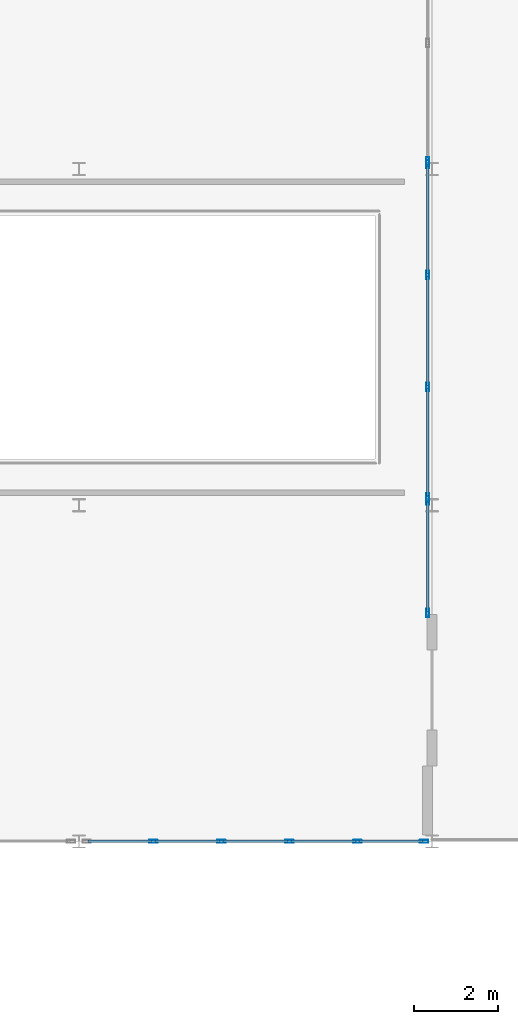
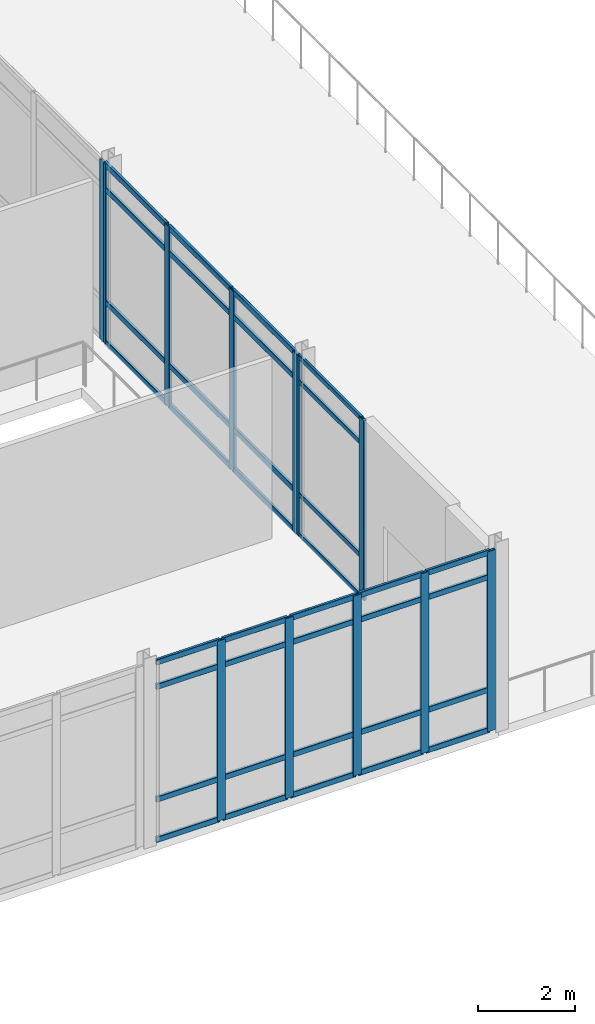
# One storey, part 76 of 154: 48 members, 4 elements without a shape of their own.
"""IFC4 building model written with IfcOpenShell, lengths in metres."""

from ifc_helpers import new_model, si_unit, direction, frame, origin, origin_2d, place, context, subcontext, project, spatial, hollow_rectangle, extrude, material, layer, layer_set, material_profile, profile_set, type_object, element, aggregate, save


model = new_model("IFC4")

# Units and contexts
model_context = context("Model", 3, precision=1e-05, world=origin(), true_north=direction((0.0, 1.0)))
body_context = subcontext(model_context, "Body", "Model", "MODEL_VIEW")
ifc_project = project(units=[si_unit("LENGTHUNIT", "METRE"), si_unit("AREAUNIT", "SQUARE_METRE"), si_unit("VOLUMEUNIT", "CUBIC_METRE"), si_unit("PLANEANGLEUNIT", "RADIAN"), si_unit("MASSUNIT", "GRAM", prefix="KILO")], contexts=[model_context])

# Site, building, storey
site_placement = place(None, origin())
site = spatial("IfcSite", under=ifc_project, at=site_placement, CompositionType="ELEMENT")
building_placement = place(site_placement, origin())
building = spatial("IfcBuilding", under=site, at=building_placement, Name="Kazehara Bluff Congress Hotel", CompositionType="ELEMENT")
storey_placement = place(building_placement, frame((0.0, 0.0, 10.199951171875)))
storey = spatial("IfcBuildingStorey", under=building, at=storey_placement, Name="L02", CompositionType="ELEMENT", Elevation=10.199951171875)

# Curtain wall, members
ifc_material_1 = material(Name="Anodised aluminium", Category="aluminium")
ifc_layer_1 = layer(ifc_material_1, 0.159912109375)
ifc_layer_set_1 = layer_set([ifc_layer_1], Name="Anodised aluminium")
curtain_wall_type_1 = type_object("IfcCurtainWallType", Name="TP-CW-39", PredefinedType="NOTDEFINED", material=ifc_layer_set_1)
curtain_wall_1_placement = place(storey_placement, origin())
curtain_wall_1 = element("IfcCurtainWall", 1, at=curtain_wall_1_placement, inside=storey, type_object=curtain_wall_type_1, Name="L02 curtain wall CW-39 CW-V3-L02-Y8090-8460", PredefinedType="NOTDEFINED")
ifc_material_2 = material(Name="Anodised aluminium", Category="aluminium")
ifc_material_profile_1 = material_profile(ifc_material_2, hollow_rectangle(XDim=0.070068359375, YDim=0.199951171875, WallThickness=0.0048828125, InnerFilletRadius=0.0048828125, OuterFilletRadius=0.010009765625, at=origin_2d()))
ifc_profile_set_1 = profile_set([ifc_material_profile_1], Name="Anodised aluminium")
member_type_1 = type_object("IfcMemberType", Name="TP-CWM-03", PredefinedType="MULLION", material=ifc_profile_set_1)
member_1_placement = place(storey_placement, frame((86.219970703125, 80.89990234375, 0.0), z_axis=(0.0, 0.0, 1.0), x_axis=(0.0, 1.0, 0.0)))
member_1 = element("IfcMember", 2, at=member_1_placement, type_object=member_type_1, Name="CW-39 mullion 2", PredefinedType="MULLION", context=body_context, shape_type="SweptSolid", body=[
    extrude(hollow_rectangle(XDim=0.070068359375, YDim=0.199951171875, WallThickness=0.0048828125, InnerFilletRadius=0.0048828125, OuterFilletRadius=0.010009765625, at=origin_2d()), origin(), (0.0, 0.0, 1.0), 4.545166015625),
])
member_2_placement = place(storey_placement, frame((87.840087890625, 80.89990234375, 0.0), z_axis=(0.0, 0.0, 1.0), x_axis=(0.0, 1.0, 0.0)))
member_2 = element("IfcMember", 3, at=member_2_placement, type_object=member_type_1, Name="CW-39 mullion 3", PredefinedType="MULLION", context=body_context, shape_type="SweptSolid", body=[
    extrude(hollow_rectangle(XDim=0.070068359375, YDim=0.199951171875, WallThickness=0.0048828125, InnerFilletRadius=0.0048828125, OuterFilletRadius=0.010009765625, at=origin_2d()), origin(), (0.0, 0.0, 1.0), 4.545166015625),
])
member_3_placement = place(storey_placement, frame((89.4599609375, 80.89990234375, 0.0), z_axis=(0.0, 0.0, 1.0), x_axis=(0.0, 1.0, 0.0)))
member_3 = element("IfcMember", 4, at=member_3_placement, type_object=member_type_1, Name="CW-39 mullion 4", PredefinedType="MULLION", context=body_context, shape_type="SweptSolid", body=[
    extrude(hollow_rectangle(XDim=0.070068359375, YDim=0.199951171875, WallThickness=0.0048828125, InnerFilletRadius=0.0048828125, OuterFilletRadius=0.010009765625, at=origin_2d()), origin(), (0.0, 0.0, 1.0), 4.545166015625),
])
member_4_placement = place(storey_placement, frame((91.080078125, 80.89990234375, 0.0), z_axis=(0.0, 0.0, 1.0), x_axis=(0.0, 1.0, 0.0)))
member_4 = element("IfcMember", 5, at=member_4_placement, type_object=member_type_1, Name="CW-39 mullion 5", PredefinedType="MULLION", context=body_context, shape_type="SweptSolid", body=[
    extrude(hollow_rectangle(XDim=0.070068359375, YDim=0.199951171875, WallThickness=0.0048828125, InnerFilletRadius=0.0048828125, OuterFilletRadius=0.010009765625, at=origin_2d()), origin(), (0.0, 0.0, 1.0), 4.545166015625),
])
member_5_placement = place(storey_placement, frame((92.6650390625, 80.89990234375, 0.0), z_axis=(0.0, 0.0, 1.0), x_axis=(0.0, 1.0, 0.0)))
member_5 = element("IfcMember", 6, at=member_5_placement, type_object=member_type_1, Name="CW-39 mullion 6", PredefinedType="MULLION", context=body_context, shape_type="SweptSolid", body=[
    extrude(hollow_rectangle(XDim=0.070068359375, YDim=0.199951171875, WallThickness=0.0048828125, InnerFilletRadius=0.0048828125, OuterFilletRadius=0.010009765625, at=origin_2d()), origin(), (0.0, 0.0, 1.0), 4.545166015625),
])

ifc_material_3 = material(Name="Anodised aluminium", Category="aluminium")
ifc_layer_2 = layer(ifc_material_3, 0.159912109375)
ifc_layer_set_2 = layer_set([ifc_layer_2], Name="Anodised aluminium")
curtain_wall_type_2 = type_object("IfcCurtainWallType", Name="TP-CW-135", PredefinedType="NOTDEFINED", material=ifc_layer_set_2)
curtain_wall_2_placement = place(storey_placement, origin())
curtain_wall_2 = element("IfcCurtainWall", 7, at=curtain_wall_2_placement, inside=storey, type_object=curtain_wall_type_2, Name="L02 curtain wall CW-135 CW-ENC-V3-L02-9275-8768", PredefinedType="NOTDEFINED")
member_6_placement = place(storey_placement, frame((92.75, 89.014892578125, 0.0), z_axis=(0.0, 0.0, 1.0), x_axis=(1.0, 0.0, 0.0)))
member_6 = element("IfcMember", 8, at=member_6_placement, type_object=member_type_1, Name="CW-135 mullion 1", PredefinedType="MULLION", context=body_context, shape_type="SweptSolid", body=[
    extrude(hollow_rectangle(XDim=0.070068359375, YDim=0.199951171875, WallThickness=0.0048828125, InnerFilletRadius=0.0048828125, OuterFilletRadius=0.010009765625, at=origin_2d()), origin(), (0.0, 0.0, 1.0), 4.545166015625),
])
member_7_placement = place(storey_placement, frame((92.75, 86.3349609375, 0.0), z_axis=(0.0, 0.0, 1.0), x_axis=(1.0, 0.0, 0.0)))
member_7 = element("IfcMember", 9, at=member_7_placement, type_object=member_type_1, Name="CW-135 mullion 2", PredefinedType="MULLION", context=body_context, shape_type="SweptSolid", body=[
    extrude(hollow_rectangle(XDim=0.070068359375, YDim=0.199951171875, WallThickness=0.0048828125, InnerFilletRadius=0.0048828125, OuterFilletRadius=0.010009765625, at=origin_2d()), origin(), (0.0, 0.0, 1.0), 4.545166015625),
])

ifc_material_4 = material(Name="Anodised aluminium", Category="aluminium")
ifc_layer_3 = layer(ifc_material_4, 0.159912109375)
ifc_layer_set_3 = layer_set([ifc_layer_3], Name="Anodised aluminium")
curtain_wall_type_3 = type_object("IfcCurtainWallType", Name="TP-CW-136", PredefinedType="NOTDEFINED", material=ifc_layer_set_3)
curtain_wall_3_placement = place(storey_placement, origin())
curtain_wall_3 = element("IfcCurtainWall", 10, at=curtain_wall_3_placement, inside=storey, type_object=curtain_wall_type_3, Name="L02 curtain wall CW-136 CW-ENC-V3-L02-9275-9305", PredefinedType="NOTDEFINED")
member_8_placement = place(storey_placement, frame((92.75, 97.014892578125, 0.0), z_axis=(0.0, 0.0, 1.0), x_axis=(1.0, 0.0, 0.0)))
member_8 = element("IfcMember", 11, at=member_8_placement, type_object=member_type_1, Name="CW-136 mullion 1", PredefinedType="MULLION", context=body_context, shape_type="SweptSolid", body=[
    extrude(hollow_rectangle(XDim=0.070068359375, YDim=0.199951171875, WallThickness=0.0048828125, InnerFilletRadius=0.0048828125, OuterFilletRadius=0.010009765625, at=origin_2d()), origin(), (0.0, 0.0, 1.0), 4.545166015625),
])
member_9_placement = place(storey_placement, frame((92.75, 94.38330078125, 0.0), z_axis=(0.0, 0.0, 1.0), x_axis=(1.0, 0.0, 0.0)))
member_9 = element("IfcMember", 12, at=member_9_placement, type_object=member_type_1, Name="CW-136 mullion 2", PredefinedType="MULLION", context=body_context, shape_type="SweptSolid", body=[
    extrude(hollow_rectangle(XDim=0.070068359375, YDim=0.199951171875, WallThickness=0.0048828125, InnerFilletRadius=0.0048828125, OuterFilletRadius=0.010009765625, at=origin_2d()), origin(), (0.0, 0.0, 1.0), 4.545166015625),
])
member_10_placement = place(storey_placement, frame((92.75, 91.716552734375, 0.0), z_axis=(0.0, 0.0, 1.0), x_axis=(1.0, 0.0, 0.0)))
member_10 = element("IfcMember", 13, at=member_10_placement, type_object=member_type_1, Name="CW-136 mullion 3", PredefinedType="MULLION", context=body_context, shape_type="SweptSolid", body=[
    extrude(hollow_rectangle(XDim=0.070068359375, YDim=0.199951171875, WallThickness=0.0048828125, InnerFilletRadius=0.0048828125, OuterFilletRadius=0.010009765625, at=origin_2d()), origin(), (0.0, 0.0, 1.0), 4.545166015625),
])
member_11_placement = place(storey_placement, frame((92.75, 89.0849609375, 0.0), z_axis=(0.0, 0.0, 1.0), x_axis=(1.0, 0.0, 0.0)))
member_11 = element("IfcMember", 14, at=member_11_placement, type_object=member_type_1, Name="CW-136 mullion 4", PredefinedType="MULLION", context=body_context, shape_type="SweptSolid", body=[
    extrude(hollow_rectangle(XDim=0.070068359375, YDim=0.199951171875, WallThickness=0.0048828125, InnerFilletRadius=0.0048828125, OuterFilletRadius=0.010009765625, at=origin_2d()), origin(), (0.0, 0.0, 1.0), 4.545166015625),
])

# Curtain wall, member
ifc_material_5 = material(Name="Anodised aluminium", Category="aluminium")
ifc_layer_4 = layer(ifc_material_5, 0.159912109375)
ifc_layer_set_4 = layer_set([ifc_layer_4], Name="Anodised aluminium")
curtain_wall_type_4 = type_object("IfcCurtainWallType", Name="TP-CW-137", PredefinedType="NOTDEFINED", material=ifc_layer_set_4)
curtain_wall_4_placement = place(storey_placement, origin())
curtain_wall_4 = element("IfcCurtainWall", 15, at=curtain_wall_4_placement, inside=storey, type_object=curtain_wall_type_4, Name="L02 curtain wall CW-137 CW-ENC-V3-L02-9275-10132", PredefinedType="NOTDEFINED")
member_12_placement = place(storey_placement, frame((92.75, 97.0849609375, 0.0), z_axis=(0.0, 0.0, 1.0), x_axis=(1.0, 0.0, 0.0)))
member_12 = element("IfcMember", 16, at=member_12_placement, type_object=member_type_1, Name="CW-137 mullion 4", PredefinedType="MULLION", context=body_context, shape_type="SweptSolid", body=[
    extrude(hollow_rectangle(XDim=0.070068359375, YDim=0.199951171875, WallThickness=0.0048828125, InnerFilletRadius=0.0048828125, OuterFilletRadius=0.010009765625, at=origin_2d()), origin(), (0.0, 0.0, 1.0), 4.545166015625),
])
aggregate(curtain_wall_4, [member_12])

# Member
ifc_material_6 = material(Name="Anodised aluminium", Category="aluminium")
ifc_material_profile_2 = material_profile(ifc_material_6, hollow_rectangle(XDim=0.06005859375, YDim=0.1201171875, WallThickness=0.00390625, InnerFilletRadius=0.00390625, OuterFilletRadius=0.008056640625, at=origin_2d()))
ifc_profile_set_2 = profile_set([ifc_material_profile_2], Name="Anodised aluminium")
member_type_2 = type_object("IfcMemberType", Name="TP-CWT-01", PredefinedType="USERDEFINED", material=ifc_profile_set_2)
member_13_placement = place(storey_placement, frame((92.75, 88.97998046875, 0.030029296875), z_axis=(0.0, -1.0, 0.0), x_axis=(1.0, 0.0, 0.0)))
member_13 = element("IfcMember", 17, at=member_13_placement, type_object=member_type_2, Name="CW-135 transom 1.1", ObjectType="TRANSOM", PredefinedType="USERDEFINED", context=body_context, shape_type="SweptSolid", body=[
    extrude(hollow_rectangle(XDim=0.06005859375, YDim=0.1201171875, WallThickness=0.00390625, InnerFilletRadius=0.00390625, OuterFilletRadius=0.008056640625, at=origin_2d()), origin(), (0.0, 0.0, 1.0), 2.60986328125),
])

member_14_placement = place(storey_placement, frame((92.75, 88.97998046875, 1.050048828125), z_axis=(0.0, -1.0, 0.0), x_axis=(1.0, 0.0, 0.0)))
member_14 = element("IfcMember", 18, at=member_14_placement, type_object=member_type_2, Name="CW-135 transom 1.2", ObjectType="TRANSOM", PredefinedType="USERDEFINED", context=body_context, shape_type="SweptSolid", body=[
    extrude(hollow_rectangle(XDim=0.06005859375, YDim=0.1201171875, WallThickness=0.00390625, InnerFilletRadius=0.00390625, OuterFilletRadius=0.008056640625, at=origin_2d()), origin(), (0.0, 0.0, 1.0), 2.60986328125),
])

member_15_placement = place(storey_placement, frame((92.75, 88.97998046875, 3.89501953125), z_axis=(0.0, -1.0, 0.0), x_axis=(1.0, 0.0, 0.0)))
member_15 = element("IfcMember", 19, at=member_15_placement, type_object=member_type_2, Name="CW-135 transom 1.3", ObjectType="TRANSOM", PredefinedType="USERDEFINED", context=body_context, shape_type="SweptSolid", body=[
    extrude(hollow_rectangle(XDim=0.06005859375, YDim=0.1201171875, WallThickness=0.00390625, InnerFilletRadius=0.00390625, OuterFilletRadius=0.008056640625, at=origin_2d()), origin(), (0.0, 0.0, 1.0), 2.60986328125),
])

member_16_placement = place(storey_placement, frame((92.75, 88.97998046875, 4.51513671875), z_axis=(0.0, -1.0, 0.0), x_axis=(1.0, 0.0, 0.0)))
member_16 = element("IfcMember", 20, at=member_16_placement, type_object=member_type_2, Name="CW-135 transom 1.4", ObjectType="TRANSOM", PredefinedType="USERDEFINED", context=body_context, shape_type="SweptSolid", body=[
    extrude(hollow_rectangle(XDim=0.06005859375, YDim=0.1201171875, WallThickness=0.00390625, InnerFilletRadius=0.00390625, OuterFilletRadius=0.008056640625, at=origin_2d()), origin(), (0.0, 0.0, 1.0), 2.60986328125),
])

aggregate(curtain_wall_2, [member_6, member_7, member_13, member_14, member_15, member_16])

ifc_material_7 = material(Name="Anodised aluminium", Category="aluminium")
ifc_material_profile_3 = material_profile(ifc_material_7, hollow_rectangle(XDim=0.06494140625, YDim=0.139892578125, WallThickness=0.00390625, InnerFilletRadius=0.00390625, OuterFilletRadius=0.008056640625, at=origin_2d()))
ifc_profile_set_3 = profile_set([ifc_material_profile_3], Name="Anodised aluminium")
member_type_3 = type_object("IfcMemberType", Name="TP-CWT-02", PredefinedType="USERDEFINED", material=ifc_profile_set_3)
member_17_placement = place(storey_placement, frame((84.669921875, 80.89990234375, 0.032470703125), z_axis=(1.0, 0.0, 0.0), x_axis=(0.0, 1.0, 0.0)))
member_17 = element("IfcMember", 21, at=member_17_placement, type_object=member_type_3, Name="CW-39 transom 1.1", ObjectType="TRANSOM", PredefinedType="USERDEFINED", context=body_context, shape_type="SweptSolid", body=[
    extrude(hollow_rectangle(XDim=0.06494140625, YDim=0.139892578125, WallThickness=0.00390625, InnerFilletRadius=0.00390625, OuterFilletRadius=0.008056640625, at=origin_2d()), origin(), (0.0, 0.0, 1.0), 1.51513671875),
])

member_18_placement = place(storey_placement, frame((84.669921875, 80.89990234375, 1.050048828125), z_axis=(1.0, 0.0, 0.0), x_axis=(0.0, 1.0, 0.0)))
member_18 = element("IfcMember", 22, at=member_18_placement, type_object=member_type_3, Name="CW-39 transom 1.2", ObjectType="TRANSOM", PredefinedType="USERDEFINED", context=body_context, shape_type="SweptSolid", body=[
    extrude(hollow_rectangle(XDim=0.06494140625, YDim=0.139892578125, WallThickness=0.00390625, InnerFilletRadius=0.00390625, OuterFilletRadius=0.008056640625, at=origin_2d()), origin(), (0.0, 0.0, 1.0), 1.51513671875),
])

member_19_placement = place(storey_placement, frame((84.669921875, 80.89990234375, 3.89501953125), z_axis=(1.0, 0.0, 0.0), x_axis=(0.0, 1.0, 0.0)))
member_19 = element("IfcMember", 23, at=member_19_placement, type_object=member_type_3, Name="CW-39 transom 1.3", ObjectType="TRANSOM", PredefinedType="USERDEFINED", context=body_context, shape_type="SweptSolid", body=[
    extrude(hollow_rectangle(XDim=0.06494140625, YDim=0.139892578125, WallThickness=0.00390625, InnerFilletRadius=0.00390625, OuterFilletRadius=0.008056640625, at=origin_2d()), origin(), (0.0, 0.0, 1.0), 1.51513671875),
])

member_20_placement = place(storey_placement, frame((84.669921875, 80.89990234375, 4.512451171875), z_axis=(1.0, 0.0, 0.0), x_axis=(0.0, 1.0, 0.0)))
member_20 = element("IfcMember", 24, at=member_20_placement, type_object=member_type_3, Name="CW-39 transom 1.4", ObjectType="TRANSOM", PredefinedType="USERDEFINED", context=body_context, shape_type="SweptSolid", body=[
    extrude(hollow_rectangle(XDim=0.06494140625, YDim=0.139892578125, WallThickness=0.00390625, InnerFilletRadius=0.00390625, OuterFilletRadius=0.008056640625, at=origin_2d()), origin(), (0.0, 0.0, 1.0), 1.51513671875),
])

member_21_placement = place(storey_placement, frame((86.2548828125, 80.89990234375, 0.032470703125), z_axis=(1.0, 0.0, 0.0), x_axis=(0.0, 1.0, 0.0)))
member_21 = element("IfcMember", 25, at=member_21_placement, type_object=member_type_3, Name="CW-39 transom 2.1", ObjectType="TRANSOM", PredefinedType="USERDEFINED", context=body_context, shape_type="SweptSolid", body=[
    extrude(hollow_rectangle(XDim=0.06494140625, YDim=0.139892578125, WallThickness=0.00390625, InnerFilletRadius=0.00390625, OuterFilletRadius=0.008056640625, at=origin_2d()), origin(), (0.0, 0.0, 1.0), 1.550048828125),
])

member_22_placement = place(storey_placement, frame((86.2548828125, 80.89990234375, 1.050048828125), z_axis=(1.0, 0.0, 0.0), x_axis=(0.0, 1.0, 0.0)))
member_22 = element("IfcMember", 26, at=member_22_placement, type_object=member_type_3, Name="CW-39 transom 2.2", ObjectType="TRANSOM", PredefinedType="USERDEFINED", context=body_context, shape_type="SweptSolid", body=[
    extrude(hollow_rectangle(XDim=0.06494140625, YDim=0.139892578125, WallThickness=0.00390625, InnerFilletRadius=0.00390625, OuterFilletRadius=0.008056640625, at=origin_2d()), origin(), (0.0, 0.0, 1.0), 1.550048828125),
])

member_23_placement = place(storey_placement, frame((86.2548828125, 80.89990234375, 3.89501953125), z_axis=(1.0, 0.0, 0.0), x_axis=(0.0, 1.0, 0.0)))
member_23 = element("IfcMember", 27, at=member_23_placement, type_object=member_type_3, Name="CW-39 transom 2.3", ObjectType="TRANSOM", PredefinedType="USERDEFINED", context=body_context, shape_type="SweptSolid", body=[
    extrude(hollow_rectangle(XDim=0.06494140625, YDim=0.139892578125, WallThickness=0.00390625, InnerFilletRadius=0.00390625, OuterFilletRadius=0.008056640625, at=origin_2d()), origin(), (0.0, 0.0, 1.0), 1.550048828125),
])

member_24_placement = place(storey_placement, frame((86.2548828125, 80.89990234375, 4.512451171875), z_axis=(1.0, 0.0, 0.0), x_axis=(0.0, 1.0, 0.0)))
member_24 = element("IfcMember", 28, at=member_24_placement, type_object=member_type_3, Name="CW-39 transom 2.4", ObjectType="TRANSOM", PredefinedType="USERDEFINED", context=body_context, shape_type="SweptSolid", body=[
    extrude(hollow_rectangle(XDim=0.06494140625, YDim=0.139892578125, WallThickness=0.00390625, InnerFilletRadius=0.00390625, OuterFilletRadius=0.008056640625, at=origin_2d()), origin(), (0.0, 0.0, 1.0), 1.550048828125),
])

member_25_placement = place(storey_placement, frame((87.875, 80.89990234375, 0.032470703125), z_axis=(1.0, 0.0, 0.0), x_axis=(0.0, 1.0, 0.0)))
member_25 = element("IfcMember", 29, at=member_25_placement, type_object=member_type_3, Name="CW-39 transom 3.1", ObjectType="TRANSOM", PredefinedType="USERDEFINED", context=body_context, shape_type="SweptSolid", body=[
    extrude(hollow_rectangle(XDim=0.06494140625, YDim=0.139892578125, WallThickness=0.00390625, InnerFilletRadius=0.00390625, OuterFilletRadius=0.008056640625, at=origin_2d()), origin(), (0.0, 0.0, 1.0), 1.550048828125),
])

member_26_placement = place(storey_placement, frame((87.875, 80.89990234375, 1.050048828125), z_axis=(1.0, 0.0, 0.0), x_axis=(0.0, 1.0, 0.0)))
member_26 = element("IfcMember", 30, at=member_26_placement, type_object=member_type_3, Name="CW-39 transom 3.2", ObjectType="TRANSOM", PredefinedType="USERDEFINED", context=body_context, shape_type="SweptSolid", body=[
    extrude(hollow_rectangle(XDim=0.06494140625, YDim=0.139892578125, WallThickness=0.00390625, InnerFilletRadius=0.00390625, OuterFilletRadius=0.008056640625, at=origin_2d()), origin(), (0.0, 0.0, 1.0), 1.550048828125),
])

member_27_placement = place(storey_placement, frame((87.875, 80.89990234375, 3.89501953125), z_axis=(1.0, 0.0, 0.0), x_axis=(0.0, 1.0, 0.0)))
member_27 = element("IfcMember", 31, at=member_27_placement, type_object=member_type_3, Name="CW-39 transom 3.3", ObjectType="TRANSOM", PredefinedType="USERDEFINED", context=body_context, shape_type="SweptSolid", body=[
    extrude(hollow_rectangle(XDim=0.06494140625, YDim=0.139892578125, WallThickness=0.00390625, InnerFilletRadius=0.00390625, OuterFilletRadius=0.008056640625, at=origin_2d()), origin(), (0.0, 0.0, 1.0), 1.550048828125),
])

member_28_placement = place(storey_placement, frame((87.875, 80.89990234375, 4.512451171875), z_axis=(1.0, 0.0, 0.0), x_axis=(0.0, 1.0, 0.0)))
member_28 = element("IfcMember", 32, at=member_28_placement, type_object=member_type_3, Name="CW-39 transom 3.4", ObjectType="TRANSOM", PredefinedType="USERDEFINED", context=body_context, shape_type="SweptSolid", body=[
    extrude(hollow_rectangle(XDim=0.06494140625, YDim=0.139892578125, WallThickness=0.00390625, InnerFilletRadius=0.00390625, OuterFilletRadius=0.008056640625, at=origin_2d()), origin(), (0.0, 0.0, 1.0), 1.550048828125),
])

member_29_placement = place(storey_placement, frame((89.4951171875, 80.89990234375, 0.032470703125), z_axis=(1.0, 0.0, 0.0), x_axis=(0.0, 1.0, 0.0)))
member_29 = element("IfcMember", 33, at=member_29_placement, type_object=member_type_3, Name="CW-39 transom 4.1", ObjectType="TRANSOM", PredefinedType="USERDEFINED", context=body_context, shape_type="SweptSolid", body=[
    extrude(hollow_rectangle(XDim=0.06494140625, YDim=0.139892578125, WallThickness=0.00390625, InnerFilletRadius=0.00390625, OuterFilletRadius=0.008056640625, at=origin_2d()), origin(), (0.0, 0.0, 1.0), 1.5498046875),
])

member_30_placement = place(storey_placement, frame((89.4951171875, 80.89990234375, 1.050048828125), z_axis=(1.0, 0.0, 0.0), x_axis=(0.0, 1.0, 0.0)))
member_30 = element("IfcMember", 34, at=member_30_placement, type_object=member_type_3, Name="CW-39 transom 4.2", ObjectType="TRANSOM", PredefinedType="USERDEFINED", context=body_context, shape_type="SweptSolid", body=[
    extrude(hollow_rectangle(XDim=0.06494140625, YDim=0.139892578125, WallThickness=0.00390625, InnerFilletRadius=0.00390625, OuterFilletRadius=0.008056640625, at=origin_2d()), origin(), (0.0, 0.0, 1.0), 1.5498046875),
])

member_31_placement = place(storey_placement, frame((89.4951171875, 80.89990234375, 3.89501953125), z_axis=(1.0, 0.0, 0.0), x_axis=(0.0, 1.0, 0.0)))
member_31 = element("IfcMember", 35, at=member_31_placement, type_object=member_type_3, Name="CW-39 transom 4.3", ObjectType="TRANSOM", PredefinedType="USERDEFINED", context=body_context, shape_type="SweptSolid", body=[
    extrude(hollow_rectangle(XDim=0.06494140625, YDim=0.139892578125, WallThickness=0.00390625, InnerFilletRadius=0.00390625, OuterFilletRadius=0.008056640625, at=origin_2d()), origin(), (0.0, 0.0, 1.0), 1.5498046875),
])

member_32_placement = place(storey_placement, frame((89.4951171875, 80.89990234375, 4.512451171875), z_axis=(1.0, 0.0, 0.0), x_axis=(0.0, 1.0, 0.0)))
member_32 = element("IfcMember", 36, at=member_32_placement, type_object=member_type_3, Name="CW-39 transom 4.4", ObjectType="TRANSOM", PredefinedType="USERDEFINED", context=body_context, shape_type="SweptSolid", body=[
    extrude(hollow_rectangle(XDim=0.06494140625, YDim=0.139892578125, WallThickness=0.00390625, InnerFilletRadius=0.00390625, OuterFilletRadius=0.008056640625, at=origin_2d()), origin(), (0.0, 0.0, 1.0), 1.5498046875),
])

member_33_placement = place(storey_placement, frame((91.114990234375, 80.89990234375, 0.032470703125), z_axis=(1.0, 0.0, 0.0), x_axis=(0.0, 1.0, 0.0)))
member_33 = element("IfcMember", 37, at=member_33_placement, type_object=member_type_3, Name="CW-39 transom 5.1", ObjectType="TRANSOM", PredefinedType="USERDEFINED", context=body_context, shape_type="SweptSolid", body=[
    extrude(hollow_rectangle(XDim=0.06494140625, YDim=0.139892578125, WallThickness=0.00390625, InnerFilletRadius=0.00390625, OuterFilletRadius=0.008056640625, at=origin_2d()), origin(), (0.0, 0.0, 1.0), 1.514892578125),
])

member_34_placement = place(storey_placement, frame((91.114990234375, 80.89990234375, 1.050048828125), z_axis=(1.0, 0.0, 0.0), x_axis=(0.0, 1.0, 0.0)))
member_34 = element("IfcMember", 38, at=member_34_placement, type_object=member_type_3, Name="CW-39 transom 5.2", ObjectType="TRANSOM", PredefinedType="USERDEFINED", context=body_context, shape_type="SweptSolid", body=[
    extrude(hollow_rectangle(XDim=0.06494140625, YDim=0.139892578125, WallThickness=0.00390625, InnerFilletRadius=0.00390625, OuterFilletRadius=0.008056640625, at=origin_2d()), origin(), (0.0, 0.0, 1.0), 1.514892578125),
])

member_35_placement = place(storey_placement, frame((91.114990234375, 80.89990234375, 3.89501953125), z_axis=(1.0, 0.0, 0.0), x_axis=(0.0, 1.0, 0.0)))
member_35 = element("IfcMember", 39, at=member_35_placement, type_object=member_type_3, Name="CW-39 transom 5.3", ObjectType="TRANSOM", PredefinedType="USERDEFINED", context=body_context, shape_type="SweptSolid", body=[
    extrude(hollow_rectangle(XDim=0.06494140625, YDim=0.139892578125, WallThickness=0.00390625, InnerFilletRadius=0.00390625, OuterFilletRadius=0.008056640625, at=origin_2d()), origin(), (0.0, 0.0, 1.0), 1.514892578125),
])

member_36_placement = place(storey_placement, frame((91.114990234375, 80.89990234375, 4.512451171875), z_axis=(1.0, 0.0, 0.0), x_axis=(0.0, 1.0, 0.0)))
member_36 = element("IfcMember", 40, at=member_36_placement, type_object=member_type_3, Name="CW-39 transom 5.4", ObjectType="TRANSOM", PredefinedType="USERDEFINED", context=body_context, shape_type="SweptSolid", body=[
    extrude(hollow_rectangle(XDim=0.06494140625, YDim=0.139892578125, WallThickness=0.00390625, InnerFilletRadius=0.00390625, OuterFilletRadius=0.008056640625, at=origin_2d()), origin(), (0.0, 0.0, 1.0), 1.514892578125),
])

aggregate(curtain_wall_1, [member_1, member_2, member_3, member_4, member_5, member_17, member_18, member_19, member_20, member_21, member_22, member_23, member_24, member_25, member_26, member_27, member_28, member_29, member_30, member_31, member_32, member_33, member_34, member_35, member_36])

member_37_placement = place(storey_placement, frame((92.75, 96.97998046875, 0.032470703125), z_axis=(0.0, -1.0, 0.0), x_axis=(1.0, 0.0, 0.0)))
member_37 = element("IfcMember", 41, at=member_37_placement, type_object=member_type_3, Name="CW-136 transom 1.1", ObjectType="TRANSOM", PredefinedType="USERDEFINED", context=body_context, shape_type="SweptSolid", body=[
    extrude(hollow_rectangle(XDim=0.06494140625, YDim=0.139892578125, WallThickness=0.00390625, InnerFilletRadius=0.00390625, OuterFilletRadius=0.008056640625, at=origin_2d()), origin(), (0.0, 0.0, 1.0), 2.561767578125),
])

member_38_placement = place(storey_placement, frame((92.75, 96.97998046875, 1.050048828125), z_axis=(0.0, -1.0, 0.0), x_axis=(1.0, 0.0, 0.0)))
member_38 = element("IfcMember", 42, at=member_38_placement, type_object=member_type_3, Name="CW-136 transom 1.2", ObjectType="TRANSOM", PredefinedType="USERDEFINED", context=body_context, shape_type="SweptSolid", body=[
    extrude(hollow_rectangle(XDim=0.06494140625, YDim=0.139892578125, WallThickness=0.00390625, InnerFilletRadius=0.00390625, OuterFilletRadius=0.008056640625, at=origin_2d()), origin(), (0.0, 0.0, 1.0), 2.561767578125),
])

member_39_placement = place(storey_placement, frame((92.75, 96.97998046875, 3.89501953125), z_axis=(0.0, -1.0, 0.0), x_axis=(1.0, 0.0, 0.0)))
member_39 = element("IfcMember", 43, at=member_39_placement, type_object=member_type_3, Name="CW-136 transom 1.3", ObjectType="TRANSOM", PredefinedType="USERDEFINED", context=body_context, shape_type="SweptSolid", body=[
    extrude(hollow_rectangle(XDim=0.06494140625, YDim=0.139892578125, WallThickness=0.00390625, InnerFilletRadius=0.00390625, OuterFilletRadius=0.008056640625, at=origin_2d()), origin(), (0.0, 0.0, 1.0), 2.561767578125),
])

member_40_placement = place(storey_placement, frame((92.75, 96.97998046875, 4.512451171875), z_axis=(0.0, -1.0, 0.0), x_axis=(1.0, 0.0, 0.0)))
member_40 = element("IfcMember", 44, at=member_40_placement, type_object=member_type_3, Name="CW-136 transom 1.4", ObjectType="TRANSOM", PredefinedType="USERDEFINED", context=body_context, shape_type="SweptSolid", body=[
    extrude(hollow_rectangle(XDim=0.06494140625, YDim=0.139892578125, WallThickness=0.00390625, InnerFilletRadius=0.00390625, OuterFilletRadius=0.008056640625, at=origin_2d()), origin(), (0.0, 0.0, 1.0), 2.561767578125),
])

member_41_placement = place(storey_placement, frame((92.75, 94.348388671875, 0.032470703125), z_axis=(0.0, -1.0, 0.0), x_axis=(1.0, 0.0, 0.0)))
member_41 = element("IfcMember", 45, at=member_41_placement, type_object=member_type_3, Name="CW-136 transom 2.1", ObjectType="TRANSOM", PredefinedType="USERDEFINED", context=body_context, shape_type="SweptSolid", body=[
    extrude(hollow_rectangle(XDim=0.06494140625, YDim=0.139892578125, WallThickness=0.00390625, InnerFilletRadius=0.00390625, OuterFilletRadius=0.008056640625, at=origin_2d()), origin(), (0.0, 0.0, 1.0), 2.5966796875),
])

member_42_placement = place(storey_placement, frame((92.75, 94.348388671875, 1.050048828125), z_axis=(0.0, -1.0, 0.0), x_axis=(1.0, 0.0, 0.0)))
member_42 = element("IfcMember", 46, at=member_42_placement, type_object=member_type_3, Name="CW-136 transom 2.2", ObjectType="TRANSOM", PredefinedType="USERDEFINED", context=body_context, shape_type="SweptSolid", body=[
    extrude(hollow_rectangle(XDim=0.06494140625, YDim=0.139892578125, WallThickness=0.00390625, InnerFilletRadius=0.00390625, OuterFilletRadius=0.008056640625, at=origin_2d()), origin(), (0.0, 0.0, 1.0), 2.5966796875),
])

member_43_placement = place(storey_placement, frame((92.75, 94.348388671875, 3.89501953125), z_axis=(0.0, -1.0, 0.0), x_axis=(1.0, 0.0, 0.0)))
member_43 = element("IfcMember", 47, at=member_43_placement, type_object=member_type_3, Name="CW-136 transom 2.3", ObjectType="TRANSOM", PredefinedType="USERDEFINED", context=body_context, shape_type="SweptSolid", body=[
    extrude(hollow_rectangle(XDim=0.06494140625, YDim=0.139892578125, WallThickness=0.00390625, InnerFilletRadius=0.00390625, OuterFilletRadius=0.008056640625, at=origin_2d()), origin(), (0.0, 0.0, 1.0), 2.5966796875),
])

member_44_placement = place(storey_placement, frame((92.75, 94.348388671875, 4.512451171875), z_axis=(0.0, -1.0, 0.0), x_axis=(1.0, 0.0, 0.0)))
member_44 = element("IfcMember", 48, at=member_44_placement, type_object=member_type_3, Name="CW-136 transom 2.4", ObjectType="TRANSOM", PredefinedType="USERDEFINED", context=body_context, shape_type="SweptSolid", body=[
    extrude(hollow_rectangle(XDim=0.06494140625, YDim=0.139892578125, WallThickness=0.00390625, InnerFilletRadius=0.00390625, OuterFilletRadius=0.008056640625, at=origin_2d()), origin(), (0.0, 0.0, 1.0), 2.5966796875),
])

member_45_placement = place(storey_placement, frame((92.75, 91.681640625, 0.032470703125), z_axis=(0.0, -1.0, 0.0), x_axis=(1.0, 0.0, 0.0)))
member_45 = element("IfcMember", 49, at=member_45_placement, type_object=member_type_3, Name="CW-136 transom 3.1", ObjectType="TRANSOM", PredefinedType="USERDEFINED", context=body_context, shape_type="SweptSolid", body=[
    extrude(hollow_rectangle(XDim=0.06494140625, YDim=0.139892578125, WallThickness=0.00390625, InnerFilletRadius=0.00390625, OuterFilletRadius=0.008056640625, at=origin_2d()), origin(), (0.0, 0.0, 1.0), 2.5615234375),
])

member_46_placement = place(storey_placement, frame((92.75, 91.681640625, 1.050048828125), z_axis=(0.0, -1.0, 0.0), x_axis=(1.0, 0.0, 0.0)))
member_46 = element("IfcMember", 50, at=member_46_placement, type_object=member_type_3, Name="CW-136 transom 3.2", ObjectType="TRANSOM", PredefinedType="USERDEFINED", context=body_context, shape_type="SweptSolid", body=[
    extrude(hollow_rectangle(XDim=0.06494140625, YDim=0.139892578125, WallThickness=0.00390625, InnerFilletRadius=0.00390625, OuterFilletRadius=0.008056640625, at=origin_2d()), origin(), (0.0, 0.0, 1.0), 2.5615234375),
])

member_47_placement = place(storey_placement, frame((92.75, 91.681640625, 3.89501953125), z_axis=(0.0, -1.0, 0.0), x_axis=(1.0, 0.0, 0.0)))
member_47 = element("IfcMember", 51, at=member_47_placement, type_object=member_type_3, Name="CW-136 transom 3.3", ObjectType="TRANSOM", PredefinedType="USERDEFINED", context=body_context, shape_type="SweptSolid", body=[
    extrude(hollow_rectangle(XDim=0.06494140625, YDim=0.139892578125, WallThickness=0.00390625, InnerFilletRadius=0.00390625, OuterFilletRadius=0.008056640625, at=origin_2d()), origin(), (0.0, 0.0, 1.0), 2.5615234375),
])

member_48_placement = place(storey_placement, frame((92.75, 91.681640625, 4.512451171875), z_axis=(0.0, -1.0, 0.0), x_axis=(1.0, 0.0, 0.0)))
member_48 = element("IfcMember", 52, at=member_48_placement, type_object=member_type_3, Name="CW-136 transom 3.4", ObjectType="TRANSOM", PredefinedType="USERDEFINED", context=body_context, shape_type="SweptSolid", body=[
    extrude(hollow_rectangle(XDim=0.06494140625, YDim=0.139892578125, WallThickness=0.00390625, InnerFilletRadius=0.00390625, OuterFilletRadius=0.008056640625, at=origin_2d()), origin(), (0.0, 0.0, 1.0), 2.5615234375),
])

aggregate(curtain_wall_3, [member_8, member_9, member_10, member_11, member_37, member_38, member_39, member_40, member_41, member_42, member_43, member_44, member_45, member_46, member_47, member_48])

save(model, "model.ifc")
